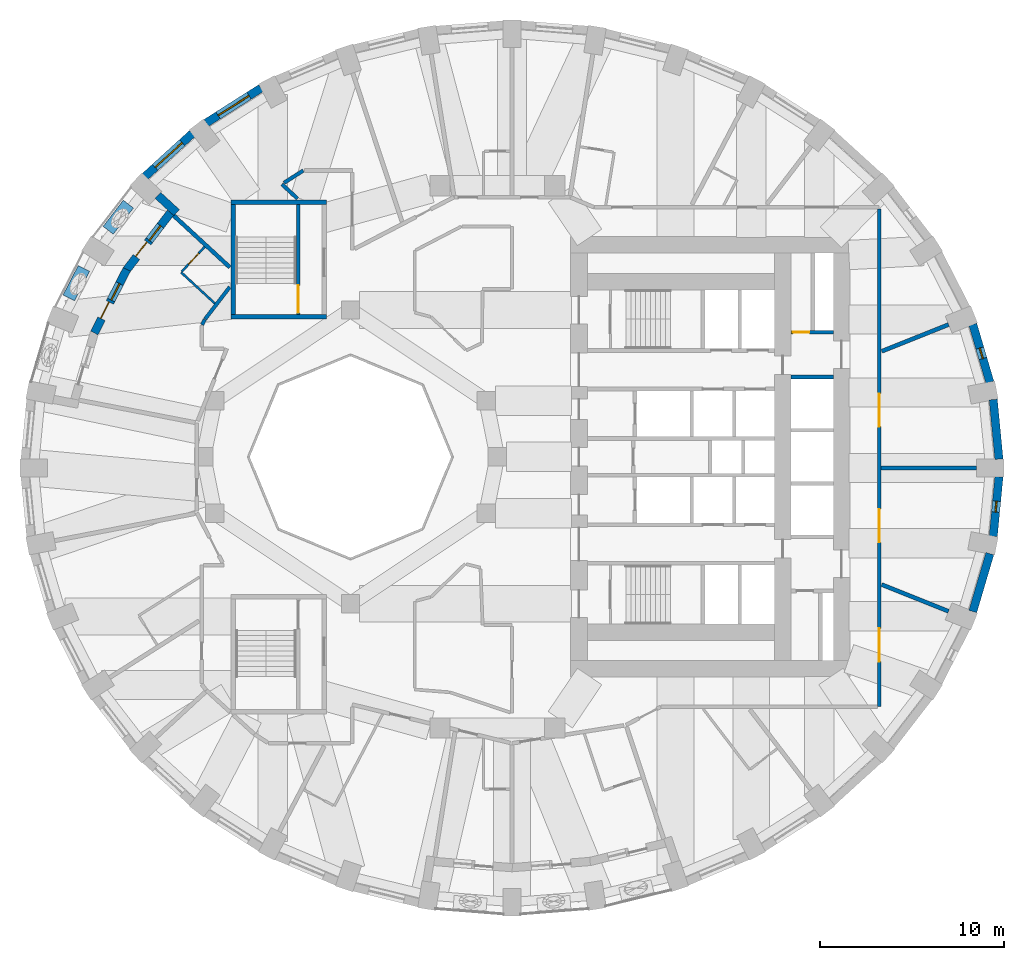
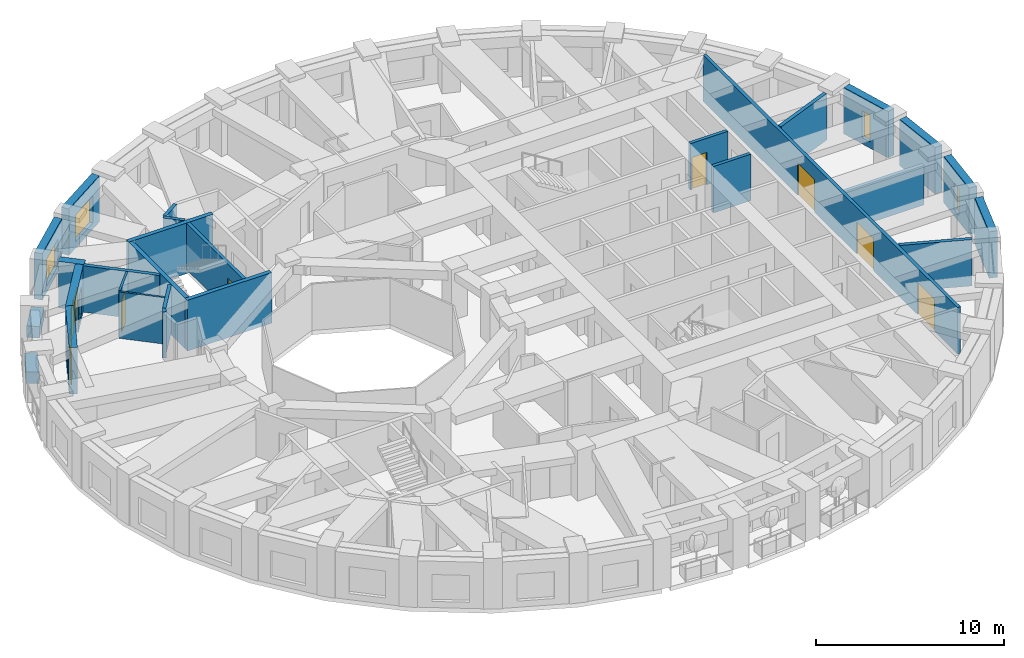
# One storey, part 7 of 13: 28 walls, 8 doors, 6 windows, 14 openings.
"""IFC4 building model written with IfcOpenShell, lengths in metres."""

import ifcopenshell
import ifcopenshell.guid

model = None  # the IFC model being written
_history = None  # IfcOwnerHistory: only IFC2X3 demands one
_inside = {}  # id of a spatial element -> (the spatial element, [elements in it])
_under = {}  # id of a project, library or spatial element -> (it, [spatial elements below it])
_declared = {}  # id of a project -> (the project, [libraries it declares])
_typed = {}  # id of a type object -> (the type object, [elements of that type])
_made_of = {}  # id of a material, layer set ... -> (it, [elements and type objects made of it])


def new_model(schema):
    """Start an empty IFC model of exactly this schema.

    Asked for "IFC4X3", IfcOpenShell would pick the latest addendum, in which some entities
    have other attributes; the version numbers below select the first issue.
    IFC2X3 requires an IfcOwnerHistory on every rooted entity: one is made here for all.
    """
    global model, _history
    if schema == "IFC4X3":
        model = ifcopenshell.file(schema_version=(4, 3, 0, 0))
    else:
        model = ifcopenshell.file(schema=schema)
    _inside.clear()
    _under.clear()
    _declared.clear()
    _typed.clear()
    _made_of.clear()
    _history = None
    if model.schema == "IFC2X3":
        org = make("IfcOrganization", Name="unknown")
        user = make(
            "IfcPersonAndOrganization",
            ThePerson=make("IfcPerson", FamilyName="unknown"),
            TheOrganization=org,
        )
        app = make(
            "IfcApplication",
            ApplicationDeveloper=org,
            Version="unknown",
            ApplicationFullName="unknown",
            ApplicationIdentifier="unknown",
        )
        _history = make(
            "IfcOwnerHistory",
            OwningUser=user,
            OwningApplication=app,
            ChangeAction="ADDED",
            CreationDate=0,
        )
    return model


def make(cls, **values):
    """One entity of the class cls with the attributes given. An attribute that is None is left unset."""
    return model.create_entity(
        cls, **{name: value for name, value in values.items() if value is not None}
    )


def rooted(cls, **values):
    """An entity with a GlobalId (a new one), such as an element, a storey or a relation."""
    return make(cls, GlobalId=ifcopenshell.guid.new(), OwnerHistory=_history, **values)


def si_unit(unit_type, name, prefix=None):
    """IfcSIUnit, for example si_unit("LENGTHUNIT", "METRE", prefix="MILLI")."""
    return make("IfcSIUnit", UnitType=unit_type, Prefix=prefix, Name=name)


def assignment(units):
    """IfcUnitAssignment: the units of a project."""
    return None if units is None else make("IfcUnitAssignment", Units=units)


def point(xyz):
    """IfcCartesianPoint."""
    return None if xyz is None else make("IfcCartesianPoint", Coordinates=xyz)


def direction(xyz):
    """IfcDirection."""
    return None if xyz is None else make("IfcDirection", DirectionRatios=xyz)


def frame(location, z_axis=None, x_axis=None):
    """IfcAxis2Placement3D, a coordinate frame: its origin and axes. An axis left out is left unset."""
    return make(
        "IfcAxis2Placement3D",
        Location=point(location),
        Axis=direction(z_axis),
        RefDirection=direction(x_axis),
    )


def frame_2d(location, x_axis=None):
    """IfcAxis2Placement2D, a coordinate frame in the plane: its origin and x axis."""
    return make(
        "IfcAxis2Placement2D", Location=point(location), RefDirection=direction(x_axis)
    )


def origin():
    """The frame at (0, 0, 0) with its axes left unset."""
    return frame((0.0, 0.0, 0.0))


def place(relative_to, where):
    """IfcLocalPlacement: puts the frame where relative to a parent placement (None: the world)."""
    return make(
        "IfcLocalPlacement", PlacementRelTo=relative_to, RelativePlacement=where
    )


def context(
    kind, dimensions, precision=None, world=None, true_north=None, identifier=None
):
    """IfcGeometricRepresentationContext, for example the 3D "Model" context."""
    return make(
        "IfcGeometricRepresentationContext",
        ContextIdentifier=identifier,
        ContextType=kind,
        CoordinateSpaceDimension=dimensions,
        Precision=precision,
        WorldCoordinateSystem=world,
        TrueNorth=true_north,
    )


def subcontext(parent, identifier, kind, view, scale=None):
    """IfcGeometricRepresentationSubContext, for example "Body" below "Model"."""
    return make(
        "IfcGeometricRepresentationSubContext",
        ContextIdentifier=identifier,
        ContextType=kind,
        ParentContext=parent,
        TargetScale=scale,
        TargetView=view,
    )


def project(units=None, contexts=None):
    """IfcProject with its units and contexts."""
    return rooted(
        "IfcProject",
        Name="project",
        RepresentationContexts=contexts,
        UnitsInContext=assignment(units),
    )


def spatial(cls, under=None, at=None, **own):
    """A site, building, storey or space (cls), placed at a placement, below another one or the project."""
    s = rooted(cls, ObjectPlacement=at, **own)
    if under is not None:
        _under.setdefault(under.id(), (under, []))[1].append(s)
    return s


def profile(cls, at=None, kind="AREA", **sizes):
    """A parametric profile (cls). Its sizes go by their IFC names, for example OverallWidth=200.0."""
    return make(cls, ProfileType=kind, Position=at, **sizes)


def rectangle(**sizes):
    """IfcRectangleProfileDef."""
    return profile("IfcRectangleProfileDef", **sizes)


def extrude(swept, where, along, depth):
    """IfcExtrudedAreaSolid: the profile swept, set in the frame where, extruded along a direction by depth."""
    return make(
        "IfcExtrudedAreaSolid",
        SweptArea=swept,
        Position=where,
        ExtrudedDirection=direction(along),
        Depth=depth,
    )


def shape(context_of_items, identifier, shape_type, items):
    """IfcShapeRepresentation: the items that make up one representation, for example the "Body"."""
    return make(
        "IfcShapeRepresentation",
        ContextOfItems=context_of_items,
        RepresentationIdentifier=identifier,
        RepresentationType=shape_type,
        Items=items,
    )


def material(Name=None, Category=None):
    """IfcMaterial."""
    return make("IfcMaterial", Name=Name, Category=Category)


def layer(
    of_material, thickness, ventilated=None, Name=None, Category=None, Priority=None
):
    """IfcMaterialLayer: one layer of a wall or slab, of a material (None: an air gap)."""
    return make(
        "IfcMaterialLayer",
        Material=of_material,
        LayerThickness=thickness,
        IsVentilated=ventilated,
        Name=Name,
        Category=Category,
        Priority=Priority,
    )


def layer_set(layers, Name=None):
    """IfcMaterialLayerSet."""
    return make("IfcMaterialLayerSet", MaterialLayers=layers, LayerSetName=Name)


def constituent(of_material, Name=None, Category=None, fraction=None):
    """IfcMaterialConstituent: one of the materials an element consists of."""
    return make(
        "IfcMaterialConstituent",
        Name=Name,
        Material=of_material,
        Fraction=fraction,
        Category=Category,
    )


def constituent_set(constituents=None, Name=None):
    """IfcMaterialConstituentSet."""
    return make(
        "IfcMaterialConstituentSet", Name=Name, MaterialConstituents=constituents
    )


def made_of(thing, what):
    """Note that an element or type object is made of a material, layer set ...; save() writes the relation."""
    if what is not None:
        _made_of.setdefault(what.id(), (what, []))[1].append(thing)
    return thing


def type_object(cls, material=None, **own):
    """A type object (cls), such as IfcWallType, which elements share."""
    return made_of(rooted(cls, **own), material)


def element(
    cls,
    number,
    at=None,
    inside=None,
    cuts=None,
    type_object=None,
    material=None,
    context=None,
    identifier="Body",
    shape_type=None,
    held_by="IfcProductDefinitionShape",
    body=None,
    shapes=None,
    **own,
):
    """One element of the class cls, such as IfcWall. Its Tag is "e" and its number.

    at: its placement. inside: the storey or other place that contains it. cuts: it is an
    opening in that element (IfcRelVoidsElement). A single representation is given by context,
    identifier, shape_type and body (its items); several are given by shapes. held_by: the class
    of the entity that holds the representations. save() writes the other relations.
    """
    e = rooted(cls, Tag="e%d" % number, ObjectPlacement=at, **own)
    if body is not None:
        shapes = [shape(context, identifier, shape_type, body)]
    if shapes is not None:
        e.Representation = make(held_by, Representations=shapes)
    if inside is not None:
        _inside.setdefault(inside.id(), (inside, []))[1].append(e)
    if cuts is not None:
        rooted(
            "IfcRelVoidsElement", RelatingBuildingElement=cuts, RelatedOpeningElement=e
        )
    if type_object is not None:
        _typed.setdefault(type_object.id(), (type_object, []))[1].append(e)
    return made_of(e, material)


def fill(opening, filler):
    """IfcRelFillsElement: the door or window that sits in an opening."""
    return rooted(
        "IfcRelFillsElement",
        RelatingOpeningElement=opening,
        RelatedBuildingElement=filler,
    )


def aggregate(whole, parts):
    """IfcRelAggregates: a whole, such as a stair, and the parts it consists of."""
    return rooted("IfcRelAggregates", RelatingObject=whole, RelatedObjects=parts)


def save(model, path):
    """Write the relations noted so far, then the file.

    IfcRelAggregates (storeys below a building ...), IfcRelContainedInSpatialStructure (elements
    in a storey), IfcRelDefinesByType, IfcRelAssociatesMaterial and IfcRelDeclares: one each for
    every whole, place, type object, material and project.
    """
    for whole, parts in _under.values():
        aggregate(whole, parts)
    for where, things in _inside.values():
        rooted(
            "IfcRelContainedInSpatialStructure",
            RelatedElements=things,
            RelatingStructure=where,
        )
    for kind, things in _typed.values():
        rooted("IfcRelDefinesByType", RelatedObjects=things, RelatingType=kind)
    for what, things in _made_of.values():
        rooted("IfcRelAssociatesMaterial", RelatedObjects=things, RelatingMaterial=what)
    for by, libraries in _declared.values():
        rooted("IfcRelDeclares", RelatingContext=by, RelatedDefinitions=libraries)
    model.write(path)


model = new_model("IFC4")

# Units and contexts
model_context = context("Model", 3, precision=1e-05, world=origin(), true_north=direction((0.0, 1.0)))
body_context = subcontext(model_context, "Body", "Model", "MODEL_VIEW")
ifc_project = project(units=[si_unit("LENGTHUNIT", "METRE"), si_unit("AREAUNIT", "SQUARE_METRE"), si_unit("VOLUMEUNIT", "CUBIC_METRE"), si_unit("PLANEANGLEUNIT", "RADIAN"), si_unit("MASSUNIT", "GRAM", prefix="KILO")], contexts=[model_context])

# Site, building, storey
site_placement = place(None, origin())
site = spatial("IfcSite", under=ifc_project, at=site_placement, CompositionType="ELEMENT")
building_placement = place(site_placement, origin())
building = spatial("IfcBuilding", under=site, at=building_placement, Name="Taillehof Tower", CompositionType="ELEMENT")
storey_placement = place(building_placement, frame((0.0, 0.0, 115.300048828125)))
storey = spatial("IfcBuildingStorey", under=building, at=storey_placement, Name="L32", CompositionType="ELEMENT", Elevation=115.300048828125)

# Wall
ifc_material_1 = material(Name="Brick masonry", Category="masonry")
ifc_layer_1 = layer(ifc_material_1, 0.449951171875)
ifc_layer_set_1 = layer_set([ifc_layer_1], Name="Brick infill wall 450")
wall_type_1 = type_object("IfcWallType", Name="Brick infill wall 450", PredefinedType="SOLIDWALL", material=ifc_layer_set_1)
wall_1_placement = place(storey_placement, frame((27.32763671875, -0.119873046875, 0.0), z_axis=(0.0, 0.0, 1.0), x_axis=(-0.09589355735, 0.995391594127, 0.0)))
element("IfcWall", 1, at=wall_1_placement, inside=storey, type_object=wall_type_1, Name="Brick wall L32 bay 1", PredefinedType="SOLIDWALL", context=body_context, shape_type="SweptSolid", body=[
    extrude(rectangle(XDim=3.261474609375, YDim=0.449951171875, at=frame_2d((1.630859375, 0.0))), origin(), (0.0, 0.0, 1.0), 3.02001953125),
])

# Wall, opening, window
wall_2_placement = place(storey_placement, frame((26.83203125, 4.069091796875, 0.0), z_axis=(0.0, 0.0, 1.0), x_axis=(-0.283002902729, 0.959119052593, 0.0)))
wall_2 = element("IfcWall", 2, at=wall_2_placement, inside=storey, type_object=wall_type_1, Name="Brick wall L32 bay 2", PredefinedType="SOLIDWALL", context=body_context, shape_type="SweptSolid", body=[
    extrude(rectangle(XDim=3.285888671875, YDim=0.449951171875, at=frame_2d((1.64306640625, 0.0))), origin(), (0.0, 0.0, 1.0), 3.02001953125),
])
opening_1_placement = place(wall_2_placement, frame((1.343017578125, 0.0, 0.39990234375)))
opening_1 = element("IfcOpeningElement", 3, at=opening_1_placement, cuts=wall_2, Name="Opening W6", PredefinedType="OPENING", context=body_context, shape_type="SweptSolid", body=[
    extrude(rectangle(XDim=0.60009765625, YDim=1.75, at=frame_2d((0.300048828125, 0.875))), frame((0.0, 0.23486328125, 0.0), z_axis=(0.0, -1.0, 0.0), x_axis=(1.0, 0.0, 0.0)), (0.0, 0.0, 1.0), 0.469970703125),
])
ifc_material_2 = material(Name="Aluminium window frame with clear double glazing", Category="aluminium")
window_type_1 = type_object("IfcWindowType", Name="Slot window 600x1750", PartitioningType="SINGLE_PANEL", PredefinedType="WINDOW", material=ifc_material_2)
window_1_placement = place(opening_1_placement, origin())
window_1 = element("IfcWindow", 4, at=window_1_placement, inside=storey, type_object=window_type_1, Name="W6", OverallHeight=1.75, OverallWidth=0.60009765625, PartitioningType="SINGLE_PANEL", PredefinedType="WINDOW", context=body_context, shape_type="SweptSolid", body=[
    extrude(rectangle(XDim=0.60009765625, YDim=1.75, at=frame_2d((0.300048828125, 0.875))), frame((0.0, 0.034912109375, 0.0), z_axis=(0.0, -1.0, 0.0), x_axis=(1.0, 0.0, 0.0)), (0.0, 0.0, 1.0), 0.06005859375),
])
fill(opening_1, window_1)

wall_3_placement = place(storey_placement, frame((-12.87548828125, 20.087158203125, 0.0), z_axis=(0.0, 0.0, 1.0), x_axis=(-0.843860651879, -0.536562391722, 0.0)))
wall_3 = element("IfcWall", 5, at=wall_3_placement, inside=storey, type_object=wall_type_1, Name="Brick wall L32 bay 13", PredefinedType="SOLIDWALL", context=body_context, shape_type="SweptSolid", body=[
    extrude(rectangle(XDim=3.5322265625, YDim=0.449951171875, at=frame_2d((1.76611328125, 0.0))), origin(), (0.0, 0.0, 1.0), 3.02001953125),
])
opening_2_placement = place(wall_3_placement, frame((0.76611328125, 0.0, 0.39990234375)))
opening_2 = element("IfcOpeningElement", 6, at=opening_2_placement, cuts=wall_3, Name="Opening W2", PredefinedType="OPENING", context=body_context, shape_type="SweptSolid", body=[
    extrude(rectangle(XDim=2.0, YDim=1.75, at=frame_2d((1.0, 0.875))), frame((0.0, 0.23486328125, 0.0), z_axis=(0.0, -1.0, 0.0), x_axis=(1.0, 0.0, 0.0)), (0.0, 0.0, 1.0), 0.469970703125),
])
ifc_material_3 = material(Name="Aluminium window frame with clear double glazing", Category="aluminium")
window_type_2 = type_object("IfcWindowType", Name="Deep-set window 2000x1750", PartitioningType="SINGLE_PANEL", PredefinedType="WINDOW", material=ifc_material_3)
window_2_placement = place(opening_2_placement, origin())
window_2 = element("IfcWindow", 7, at=window_2_placement, inside=storey, type_object=window_type_2, Name="W2", OverallHeight=1.75, OverallWidth=2.0, PartitioningType="SINGLE_PANEL", PredefinedType="WINDOW", context=body_context, shape_type="SweptSolid", body=[
    extrude(rectangle(XDim=2.0, YDim=1.75, at=frame_2d((1.0, 0.875))), frame((0.0, 0.034912109375, 0.0), z_axis=(0.0, -1.0, 0.0), x_axis=(1.0, 0.0, 0.0)), (0.0, 0.0, 1.0), 0.06005859375),
])
fill(opening_2, window_2)

wall_4_placement = place(storey_placement, frame((-16.61962890625, 17.609619140625, 0.0), z_axis=(0.0, 0.0, 1.0), x_axis=(-0.74032902847, -0.672244694739, 0.0)))
wall_4 = element("IfcWall", 8, at=wall_4_placement, inside=storey, type_object=wall_type_1, Name="Brick wall L32 bay 14", PredefinedType="SOLIDWALL", context=body_context, shape_type="SweptSolid", body=[
    extrude(rectangle(XDim=3.4638671875, YDim=0.449951171875, at=frame_2d((1.73193359375, 0.0))), origin(), (0.0, 0.0, 1.0), 3.02001953125),
])
opening_3_placement = place(wall_4_placement, frame((0.73193359375, 0.0, 0.39990234375)))
opening_3 = element("IfcOpeningElement", 9, at=opening_3_placement, cuts=wall_4, Name="Opening W2", PredefinedType="OPENING", context=body_context, shape_type="SweptSolid", body=[
    extrude(rectangle(XDim=2.0, YDim=1.75, at=frame_2d((1.0, 0.875))), frame((0.0, 0.23486328125, 0.0), z_axis=(0.0, -1.0, 0.0), x_axis=(1.0, 0.0, 0.0)), (0.0, 0.0, 1.0), 0.469970703125),
])
window_3_placement = place(opening_3_placement, origin())
window_3 = element("IfcWindow", 10, at=window_3_placement, inside=storey, type_object=window_type_2, Name="W2", OverallHeight=1.75, OverallWidth=2.0, PartitioningType="SINGLE_PANEL", PredefinedType="WINDOW", context=body_context, shape_type="SweptSolid", body=[
    extrude(rectangle(XDim=2.0, YDim=1.75, at=frame_2d((1.0, 0.875))), frame((0.0, 0.034912109375, 0.0), z_axis=(0.0, -1.0, 0.0), x_axis=(1.0, 0.0, 0.0)), (0.0, 0.0, 1.0), 0.06005859375),
])
fill(opening_3, window_3)

# Wall
wall_5_placement = place(storey_placement, frame((25.902099609375, -8.4208984375, 0.0), z_axis=(0.0, 0.0, 1.0), x_axis=(0.282982737009, 0.95912500257, 0.0)))
element("IfcWall", 11, at=wall_5_placement, inside=storey, type_object=wall_type_1, Name="Brick wall L32 bay 35", PredefinedType="SOLIDWALL", context=body_context, shape_type="SweptSolid", body=[
    extrude(rectangle(XDim=3.2861328125, YDim=0.449951171875, at=frame_2d((1.64306640625, 0.0))), origin(), (0.0, 0.0, 1.0), 3.02001953125),
])

# Wall, opening, window
wall_6_placement = place(storey_placement, frame((27.014892578125, -4.326416015625, 0.0), z_axis=(0.0, 0.0, 1.0), x_axis=(0.09589355735, 0.995391594127, 0.0)))
wall_6 = element("IfcWall", 12, at=wall_6_placement, inside=storey, type_object=wall_type_1, Name="Brick wall L32 bay 36", PredefinedType="SOLIDWALL", context=body_context, shape_type="SweptSolid", body=[
    extrude(rectangle(XDim=3.261474609375, YDim=0.449951171875, at=frame_2d((1.630859375, 0.0))), origin(), (0.0, 0.0, 1.0), 3.02001953125),
])
opening_4_placement = place(wall_6_placement, frame((1.33056640625, 0.0, 0.39990234375)))
opening_4 = element("IfcOpeningElement", 13, at=opening_4_placement, cuts=wall_6, Name="Opening W6", PredefinedType="OPENING", context=body_context, shape_type="SweptSolid", body=[
    extrude(rectangle(XDim=0.60009765625, YDim=1.75, at=frame_2d((0.300048828125, 0.875))), frame((0.0, 0.23486328125, 0.0), z_axis=(0.0, -1.0, 0.0), x_axis=(1.0, 0.0, 0.0)), (0.0, 0.0, 1.0), 0.469970703125),
])
window_4_placement = place(opening_4_placement, origin())
window_4 = element("IfcWindow", 14, at=window_4_placement, inside=storey, type_object=window_type_1, Name="W6", OverallHeight=1.75, OverallWidth=0.60009765625, PartitioningType="SINGLE_PANEL", PredefinedType="WINDOW", context=body_context, shape_type="SweptSolid", body=[
    extrude(rectangle(XDim=0.60009765625, YDim=1.75, at=frame_2d((0.300048828125, 0.875))), frame((0.0, 0.034912109375, 0.0), z_axis=(0.0, -1.0, 0.0), x_axis=(1.0, 0.0, 0.0)), (0.0, 0.0, 1.0), 0.06005859375),
])
fill(opening_4, window_4)

# Wall
wall_7_placement = place(storey_placement, frame((-18.48974609375, 14.2470703125, 0.0), z_axis=(0.0, 0.0, 1.0), x_axis=(0.735307968822, -0.67773312667, 0.0)))
element("IfcWall", 15, at=wall_7_placement, inside=storey, type_object=wall_type_1, Name="Brick reveal L32 pocket 4", PredefinedType="SOLIDWALL", context=body_context, shape_type="SweptSolid", body=[
    extrude(rectangle(XDim=1.390869140625, YDim=0.449951171875, at=frame_2d((0.6953125, 0.0))), origin(), (0.0, 0.0, 1.0), 3.02001953125),
])

# Wall, openings, door, window
wall_8_placement = place(storey_placement, frame((-17.799072265625, 13.304443359375, 0.0), z_axis=(0.0, 0.0, 1.0), x_axis=(-0.609698797728, -0.792633191362, 0.0)))
wall_8 = element("IfcWall", 16, at=wall_8_placement, inside=storey, type_object=wall_type_1, Name="Brick wall L32 pocket bay 15", PredefinedType="SOLIDWALL", context=body_context, shape_type="SweptSolid", body=[
    extrude(rectangle(XDim=3.945068359375, YDim=0.449951171875, at=frame_2d((1.97265625, 0.0))), origin(), (0.0, 0.0, 1.0), 3.02001953125),
])
opening_5_placement = place(wall_8_placement, frame((0.8974609375, 0.0, 0.39990234375)))
opening_5 = element("IfcOpeningElement", 17, at=opening_5_placement, cuts=wall_8, Name="Opening W5", PredefinedType="OPENING", context=body_context, shape_type="SweptSolid", body=[
    extrude(rectangle(XDim=1.0, YDim=1.75, at=frame_2d((0.5, 0.875))), frame((0.0, 0.23486328125, 0.0), z_axis=(0.0, -1.0, 0.0), x_axis=(1.0, 0.0, 0.0)), (0.0, 0.0, 1.0), 0.469970703125),
])
opening_6_placement = place(wall_8_placement, frame((2.04736328125, 0.0, 0.0)))
opening_6 = element("IfcOpeningElement", 18, at=opening_6_placement, cuts=wall_8, Name="Opening D3291", PredefinedType="OPENING", context=body_context, shape_type="SweptSolid", body=[
    extrude(rectangle(XDim=1.0, YDim=2.14990234375, at=frame_2d((0.5, 1.074951171875))), frame((0.0, 0.23486328125, 0.0), z_axis=(0.0, -1.0, 0.0), x_axis=(1.0, 0.0, 0.0)), (0.0, 0.0, 1.0), 0.469970703125),
])
ifc_material_4 = material(Name="Aluminium door frame with clear double glazing", Category="aluminium")
door_type_1 = type_object("IfcDoorType", Name="Balcony door 1000x2150", OperationType="SINGLE_SWING_RIGHT", PredefinedType="DOOR", material=ifc_material_4)
door_1_placement = place(opening_6_placement, frame((1.0, 0.0, 0.0), z_axis=(0.0, 0.0, 1.0), x_axis=(-1.0, 0.0, 0.0)))
door_1 = element("IfcDoor", 19, at=door_1_placement, inside=storey, type_object=door_type_1, Name="Balcony door L32 bay 15", OperationType="SINGLE_SWING_RIGHT", OverallHeight=2.14990234375, OverallWidth=1.0, PredefinedType="DOOR", context=body_context, shape_type="SweptSolid", body=[
    extrude(rectangle(XDim=1.0, YDim=2.14990234375, at=frame_2d((0.5, 1.074951171875))), frame((0.0, 0.0751953125, 0.0), z_axis=(0.0, -1.0, 0.0), x_axis=(1.0, 0.0, 0.0)), (0.0, 0.0, 1.0), 0.050048828125),
])
fill(opening_6, door_1)
ifc_material_5 = material(Name="Aluminium window frame with clear double glazing", Category="aluminium")
window_type_3 = type_object("IfcWindowType", Name="Fixed window 1000x1750", PartitioningType="SINGLE_PANEL", PredefinedType="WINDOW", material=ifc_material_5)
window_5_placement = place(opening_5_placement, origin())
window_5 = element("IfcWindow", 20, at=window_5_placement, inside=storey, type_object=window_type_3, Name="W5", OverallHeight=1.75, OverallWidth=1.0, PartitioningType="SINGLE_PANEL", PredefinedType="WINDOW", context=body_context, shape_type="SweptSolid", body=[
    extrude(rectangle(XDim=1.0, YDim=1.75, at=frame_2d((0.5, 0.875))), frame((0.0, 0.034912109375, 0.0), z_axis=(0.0, -1.0, 0.0), x_axis=(1.0, 0.0, 0.0)), (0.0, 0.0, 1.0), 0.06005859375),
])
fill(opening_5, window_5)

wall_9_placement = place(storey_placement, frame((-20.182373046875, 10.212158203125, 0.0), z_axis=(0.0, 0.0, 1.0), x_axis=(-0.455932890657, -0.890014156751, 0.0)))
wall_9 = element("IfcWall", 21, at=wall_9_placement, inside=storey, type_object=wall_type_1, Name="Brick wall L32 pocket bay 16", PredefinedType="SOLIDWALL", context=body_context, shape_type="SweptSolid", body=[
    extrude(rectangle(XDim=3.88818359375, YDim=0.449951171875, at=frame_2d((1.944091796875, 0.0))), origin(), (0.0, 0.0, 1.0), 3.02001953125),
])
opening_7_placement = place(wall_9_placement, frame((0.868896484375, 0.0, 0.39990234375)))
opening_7 = element("IfcOpeningElement", 22, at=opening_7_placement, cuts=wall_9, Name="Opening W5", PredefinedType="OPENING", context=body_context, shape_type="SweptSolid", body=[
    extrude(rectangle(XDim=1.0, YDim=1.75, at=frame_2d((0.5, 0.875))), frame((0.0, 0.23486328125, 0.0), z_axis=(0.0, -1.0, 0.0), x_axis=(1.0, 0.0, 0.0)), (0.0, 0.0, 1.0), 0.469970703125),
])
opening_8_placement = place(wall_9_placement, frame((2.01904296875, 0.0, 0.0)))
opening_8 = element("IfcOpeningElement", 23, at=opening_8_placement, cuts=wall_9, Name="Opening D3292", PredefinedType="OPENING", context=body_context, shape_type="SweptSolid", body=[
    extrude(rectangle(XDim=1.0, YDim=2.14990234375, at=frame_2d((0.5, 1.074951171875))), frame((0.0, 0.23486328125, 0.0), z_axis=(0.0, -1.0, 0.0), x_axis=(1.0, 0.0, 0.0)), (0.0, 0.0, 1.0), 0.469970703125),
])
door_2_placement = place(opening_8_placement, frame((1.0, 0.0, 0.0), z_axis=(0.0, 0.0, 1.0), x_axis=(-1.0, 0.0, 0.0)))
door_2 = element("IfcDoor", 24, at=door_2_placement, inside=storey, type_object=door_type_1, Name="Balcony door L32 bay 16", OperationType="SINGLE_SWING_LEFT", OverallHeight=2.14990234375, OverallWidth=1.0, PredefinedType="DOOR", context=body_context, shape_type="SweptSolid", body=[
    extrude(rectangle(XDim=1.0, YDim=2.14990234375, at=frame_2d((0.5, 1.074951171875))), frame((0.0, 0.0751953125, 0.0), z_axis=(0.0, -1.0, 0.0), x_axis=(1.0, 0.0, 0.0)), (0.0, 0.0, 1.0), 0.050048828125),
])
fill(opening_8, door_2)
window_6_placement = place(opening_7_placement, origin())
window_6 = element("IfcWindow", 25, at=window_6_placement, inside=storey, type_object=window_type_3, Name="W5", OverallHeight=1.75, OverallWidth=1.0, PartitioningType="SINGLE_PANEL", PredefinedType="WINDOW", context=body_context, shape_type="SweptSolid", body=[
    extrude(rectangle(XDim=1.0, YDim=1.75, at=frame_2d((0.5, 0.875))), frame((0.0, 0.034912109375, 0.0), z_axis=(0.0, -1.0, 0.0), x_axis=(1.0, 0.0, 0.0)), (0.0, 0.0, 1.0), 0.06005859375),
])
fill(opening_7, window_6)

# Wall, opening, door
ifc_material_6 = material(Name="Calcium silicate masonry", Category="masonry")
ifc_layer_2 = layer(ifc_material_6, 0.199951171875)
ifc_layer_set_2 = layer_set([ifc_layer_2], Name="Compartment wall calcium silicate 200")
wall_type_2 = type_object("IfcWallType", Name="Compartment wall calcium silicate 200", PredefinedType="PARTITIONING", material=ifc_layer_set_2)
wall_10_placement = place(storey_placement, frame((16.0, 6.800048828125, 0.0), z_axis=(0.0, 0.0, 1.0), x_axis=(1.0, 0.0, 0.0)))
wall_10 = element("IfcWall", 26, at=wall_10_placement, inside=storey, type_object=wall_type_2, Name="Compartment wall FW", PredefinedType="PARTITIONING", context=body_context, shape_type="SweptSolid", body=[
    extrude(rectangle(XDim=2.300048828125, YDim=0.199951171875, at=frame_2d((1.14990234375, 0.0))), origin(), (0.0, 0.0, 1.0), 3.02001953125),
])
opening_9_placement = place(wall_10_placement, frame((0.10009765625, 0.0, 0.0)))
opening_9 = element("IfcOpeningElement", 27, at=opening_9_placement, cuts=wall_10, Name="Opening D3216", PredefinedType="OPENING", context=body_context, shape_type="SweptSolid", body=[
    extrude(rectangle(XDim=0.89990234375, YDim=2.10009765625, at=frame_2d((0.449951171875, 1.050048828125))), frame((0.0, 0.10986328125, 0.0), z_axis=(0.0, -1.0, 0.0), x_axis=(1.0, 0.0, 0.0)), (0.0, 0.0, 1.0), 0.219970703125),
])
ifc_material_7 = material(Name="Steel-faced fire door", Category="steel")
door_type_2 = type_object("IfcDoorType", Name="Riser and service room door 900x2100", OperationType="SINGLE_SWING_LEFT", PredefinedType="DOOR", material=ifc_material_7)
door_3_placement = place(opening_9_placement, origin())
door_3 = element("IfcDoor", 28, at=door_3_placement, inside=storey, type_object=door_type_2, Name="Door Comms Room", OperationType="SINGLE_SWING_RIGHT", OverallHeight=2.10009765625, OverallWidth=0.89990234375, PredefinedType="DOOR", context=body_context, shape_type="SweptSolid", body=[
    extrude(rectangle(XDim=0.89990234375, YDim=2.10009765625, at=frame_2d((0.449951171875, 1.050048828125))), frame((0.0, 0.02490234375, 0.0), z_axis=(0.0, -1.0, 0.0), x_axis=(1.0, 0.0, 0.0)), (0.0, 0.0, 1.0), 0.050048828125),
])
fill(opening_9, door_3)

# Walls
ifc_material_8 = material(Name="Gypsum board on steel studs, two layers each side", Category="steel")
ifc_layer_3 = layer(ifc_material_8, 0.199951171875)
ifc_layer_set_3 = layer_set([ifc_layer_3], Name="Compartment wall corridor 200")
wall_type_3 = type_object("IfcWallType", Name="Compartment wall corridor 200", PredefinedType="PARTITIONING", material=ifc_layer_set_3)
wall_11_placement = place(storey_placement, frame((-16.08203125, 7.195556640625, 0.0), z_axis=(0.0, 0.0, 1.0), x_axis=(0.456789128428, 0.889575006478, 0.0)))
element("IfcWall", 29, at=wall_11_placement, inside=storey, type_object=wall_type_3, Name="Compartment wall", PredefinedType="PARTITIONING", context=body_context, shape_type="SweptSolid", body=[
    extrude(rectangle(XDim=0.335693359375, YDim=0.199951171875, at=frame_2d((0.16796875, 0.0))), origin(), (0.0, 0.0, 1.0), 3.02001953125),
])
wall_12_placement = place(storey_placement, frame((-15.91650390625, 7.510009765625, 0.0), z_axis=(0.0, 0.0, 1.0), x_axis=(0.609673267649, 0.792652828617, 0.0)))
element("IfcWall", 30, at=wall_12_placement, inside=storey, type_object=wall_type_3, Name="Compartment wall", PredefinedType="PARTITIONING", context=body_context, shape_type="SweptSolid", body=[
    extrude(rectangle(XDim=2.202880859375, YDim=0.199951171875, at=frame_2d((1.1015625, 0.0))), origin(), (0.0, 0.0, 1.0), 3.02001953125),
])
wall_13_placement = place(storey_placement, frame((-10.88330078125, 14.070068359375, 0.0), z_axis=(0.0, 0.0, 1.0), x_axis=(-0.735263405477, 0.677781472575, 0.0)))
element("IfcWall", 31, at=wall_13_placement, inside=storey, type_object=wall_type_3, Name="Compartment wall", PredefinedType="PARTITIONING", context=body_context, shape_type="SweptSolid", body=[
    extrude(rectangle(XDim=1.159423828125, YDim=0.199951171875, at=frame_2d((0.57958984375, 0.0))), origin(), (0.0, 0.0, 1.0), 3.02001953125),
])
wall_14_placement = place(storey_placement, frame((-11.617919921875, 14.93115234375, 0.0), z_axis=(0.0, 0.0, 1.0), x_axis=(0.84322497481, 0.537560826193, 0.0)))
element("IfcWall", 32, at=wall_14_placement, inside=storey, type_object=wall_type_3, Name="Compartment wall", PredefinedType="PARTITIONING", context=body_context, shape_type="SweptSolid", body=[
    extrude(rectangle(XDim=1.244384765625, YDim=0.199951171875, at=frame_2d((0.6220703125, 0.0))), origin(), (0.0, 0.0, 1.0), 3.02001953125),
])

# Wall, openings, doors
wall_15_placement = place(storey_placement, frame((20.800048828125, 13.5, 0.0), z_axis=(0.0, 0.0, 1.0), x_axis=(0.0, -1.0, 0.0)))
wall_15 = element("IfcWall", 33, at=wall_15_placement, inside=storey, type_object=wall_type_3, Name="Compartment wall", PredefinedType="PARTITIONING", context=body_context, shape_type="SweptSolid", body=[
    extrude(rectangle(XDim=27.10009765625, YDim=0.199951171875, at=frame_2d((13.550048828125, 0.0))), origin(), (0.0, 0.0, 1.0), 3.02001953125),
])
opening_10_placement = place(wall_15_placement, frame((22.84375, 0.0, 0.0)))
opening_10 = element("IfcOpeningElement", 34, at=opening_10_placement, cuts=wall_15, Name="Opening D3264", PredefinedType="OPENING", context=body_context, shape_type="SweptSolid", body=[
    extrude(rectangle(XDim=1.800048828125, YDim=2.10009765625, at=frame_2d((0.89990234375, 1.050048828125))), frame((0.0, 0.10986328125, 0.0), z_axis=(0.0, -1.0, 0.0), x_axis=(1.0, 0.0, 0.0)), (0.0, 0.0, 1.0), 0.219970703125),
])
opening_11_placement = place(wall_15_placement, frame((16.349609375, 0.0, 0.0)))
opening_11 = element("IfcOpeningElement", 35, at=opening_11_placement, cuts=wall_15, Name="Opening D3265", PredefinedType="OPENING", context=body_context, shape_type="SweptSolid", body=[
    extrude(rectangle(XDim=1.800048828125, YDim=2.10009765625, at=frame_2d((0.89990234375, 1.050048828125))), frame((0.0, 0.10986328125, 0.0), z_axis=(0.0, -1.0, 0.0), x_axis=(1.0, 0.0, 0.0)), (0.0, 0.0, 1.0), 0.219970703125),
])
opening_12_placement = place(wall_15_placement, frame((10.050537109375, 0.0, 0.0)))
opening_12 = element("IfcOpeningElement", 36, at=opening_12_placement, cuts=wall_15, Name="Opening D3266", PredefinedType="OPENING", context=body_context, shape_type="SweptSolid", body=[
    extrude(rectangle(XDim=1.800048828125, YDim=2.10009765625, at=frame_2d((0.89990234375, 1.050048828125))), frame((0.0, 0.10986328125, 0.0), z_axis=(0.0, -1.0, 0.0), x_axis=(1.0, 0.0, 0.0)), (0.0, 0.0, 1.0), 0.219970703125),
])
ifc_material_9 = material(Name="Timber door leaf in steel frame", Category="steel")
door_type_3 = type_object("IfcDoorType", Name="Lounge and meeting room double door EI 30 1800 x 2100", OperationType="SINGLE_SWING_LEFT", PredefinedType="DOOR", material=ifc_material_9)
door_4_placement = place(opening_10_placement, origin())
door_4 = element("IfcDoor", 37, at=door_4_placement, inside=storey, type_object=door_type_3, Name="D3264", OperationType="DOUBLE_DOOR_SINGLE_SWING", OverallHeight=2.10009765625, OverallWidth=1.800048828125, PredefinedType="DOOR", context=body_context, shape_type="SweptSolid", body=[
    extrude(rectangle(XDim=1.800048828125, YDim=2.10009765625, at=frame_2d((0.89990234375, 1.050048828125))), frame((0.0, 0.02490234375, 0.0), z_axis=(0.0, -1.0, 0.0), x_axis=(1.0, 0.0, 0.0)), (0.0, 0.0, 1.0), 0.050048828125),
])
fill(opening_10, door_4)
door_5_placement = place(opening_11_placement, origin())
door_5 = element("IfcDoor", 38, at=door_5_placement, inside=storey, type_object=door_type_3, Name="D3265", OperationType="DOUBLE_DOOR_SINGLE_SWING", OverallHeight=2.10009765625, OverallWidth=1.800048828125, PredefinedType="DOOR", context=body_context, shape_type="SweptSolid", body=[
    extrude(rectangle(XDim=1.800048828125, YDim=2.10009765625, at=frame_2d((0.89990234375, 1.050048828125))), frame((0.0, 0.02490234375, 0.0), z_axis=(0.0, -1.0, 0.0), x_axis=(1.0, 0.0, 0.0)), (0.0, 0.0, 1.0), 0.050048828125),
])
fill(opening_11, door_5)
door_6_placement = place(opening_12_placement, origin())
door_6 = element("IfcDoor", 39, at=door_6_placement, inside=storey, type_object=door_type_3, Name="D3266", OperationType="DOUBLE_DOOR_SINGLE_SWING", OverallHeight=2.10009765625, OverallWidth=1.800048828125, PredefinedType="DOOR", context=body_context, shape_type="SweptSolid", body=[
    extrude(rectangle(XDim=1.800048828125, YDim=2.10009765625, at=frame_2d((0.89990234375, 1.050048828125))), frame((0.0, 0.02490234375, 0.0), z_axis=(0.0, -1.0, 0.0), x_axis=(1.0, 0.0, 0.0)), (0.0, 0.0, 1.0), 0.050048828125),
])
fill(opening_12, door_6)

# Walls
ifc_material_10 = material(Name="Gypsum board on double steel studs with mineral wool", Category="steel")
ifc_layer_4 = layer(ifc_material_10, 0.219970703125)
ifc_layer_set_4 = layer_set([ifc_layer_4], Name="Compartment wall guest room 220")
wall_type_4 = type_object("IfcWallType", Name="Compartment wall guest room 220", PredefinedType="PARTITIONING", material=ifc_layer_set_4)
wall_16_placement = place(storey_placement, frame((26.10009765625, -0.60009765625, 0.0), z_axis=(0.0, 0.0, 1.0), x_axis=(-1.0, 0.0, 0.0)))
element("IfcWall", 40, at=wall_16_placement, inside=storey, type_object=wall_type_4, Name="Compartment wall", PredefinedType="PARTITIONING", context=body_context, shape_type="SweptSolid", body=[
    extrude(rectangle(XDim=5.199951171875, YDim=0.219970703125, at=frame_2d((2.60009765625, 0.0))), origin(), (0.0, 0.0, 1.0), 2.570068359375),
])
wall_17_placement = place(storey_placement, frame((24.58251953125, 7.21044921875, 0.0), z_axis=(0.0, 0.0, 1.0), x_axis=(-0.928528147853, -0.371262008083, 0.0)))
element("IfcWall", 41, at=wall_17_placement, inside=storey, type_object=wall_type_4, Name="Compartment wall", PredefinedType="PARTITIONING", context=body_context, shape_type="SweptSolid", body=[
    extrude(rectangle(XDim=3.92578125, YDim=0.219970703125, at=frame_2d((1.962890625, 0.0))), origin(), (0.0, 0.0, 1.0), 3.02001953125),
])
wall_18_placement = place(storey_placement, frame((-17.633056640625, 13.1513671875, 0.0), z_axis=(0.0, 0.0, 1.0), x_axis=(0.73535370522, -0.677683501511, 0.0)))
element("IfcWall", 42, at=wall_18_placement, inside=storey, type_object=wall_type_4, Name="Compartment wall", PredefinedType="PARTITIONING", context=body_context, shape_type="SweptSolid", body=[
    extrude(rectangle(XDim=4.165771484375, YDim=0.219970703125, at=frame_2d((2.0830078125, 0.0))), origin(), (0.0, 0.0, 1.0), 3.02001953125),
])
wall_19_placement = place(storey_placement, frame((24.58251953125, -8.410400390625, 0.0), z_axis=(0.0, 0.0, 1.0), x_axis=(-0.928528147853, 0.371262008083, 0.0)))
element("IfcWall", 43, at=wall_19_placement, inside=storey, type_object=wall_type_4, Name="Compartment wall", PredefinedType="PARTITIONING", context=body_context, shape_type="SweptSolid", body=[
    extrude(rectangle(XDim=3.92578125, YDim=0.219970703125, at=frame_2d((1.962890625, 0.0))), origin(), (0.0, 0.0, 1.0), 3.02001953125),
])
ifc_material_11 = material(Name="Gypsum board on steel studs, moisture resistant", Category="steel")
ifc_layer_5 = layer(ifc_material_11, 0.1201171875)
ifc_layer_set_5 = layer_set([ifc_layer_5], Name="En-suite wall 120")
wall_type_5 = type_object("IfcWallType", Name="En-suite wall 120", PredefinedType="PARTITIONING", material=ifc_layer_set_5)
wall_20_placement = place(storey_placement, frame((-15.387451171875, 8.36181640625, 0.0), z_axis=(0.0, 0.0, 1.0), x_axis=(-0.735313004993, 0.677727662626, 0.0)))
element("IfcWall", 44, at=wall_20_placement, inside=storey, type_object=wall_type_5, Name="En-suite wall", PredefinedType="PARTITIONING", context=body_context, shape_type="SweptSolid", body=[
    extrude(rectangle(XDim=2.4970703125, YDim=0.1201171875, at=frame_2d((1.24853515625, 0.0))), origin(), (0.0, 0.0, 1.0), 3.02001953125),
])

# Wall, opening, door
wall_21_placement = place(storey_placement, frame((-17.182861328125, 10.098388671875, 0.0), z_axis=(0.0, 0.0, 1.0), x_axis=(0.677631502542, 0.735401622763, 0.0)))
wall_21 = element("IfcWall", 45, at=wall_21_placement, inside=storey, type_object=wall_type_5, Name="En-suite wall", PredefinedType="PARTITIONING", context=body_context, shape_type="SweptSolid", body=[
    extrude(rectangle(XDim=1.829833984375, YDim=0.1201171875, at=frame_2d((0.9150390625, 0.0))), origin(), (0.0, 0.0, 1.0), 3.02001953125),
])
opening_13_placement = place(wall_21_placement, frame((0.539794921875, 0.0, 0.0)))
opening_13 = element("IfcOpeningElement", 46, at=opening_13_placement, cuts=wall_21, Name="Opening D3250", PredefinedType="OPENING", context=body_context, shape_type="SweptSolid", body=[
    extrude(rectangle(XDim=0.800048828125, YDim=2.10009765625, at=frame_2d((0.39990234375, 1.050048828125))), frame((0.0, 0.070068359375, 0.0), z_axis=(0.0, -1.0, 0.0), x_axis=(1.0, 0.0, 0.0)), (0.0, 0.0, 1.0), 0.14013671875),
])
ifc_material_12 = material(Name="Timber door leaf in steel frame", Category="steel")
door_type_4 = type_object("IfcDoorType", Name="En-suite door 800 x 2100", OperationType="SINGLE_SWING_LEFT", PredefinedType="DOOR", material=ifc_material_12)
door_7_placement = place(opening_13_placement, origin())
door_7 = element("IfcDoor", 47, at=door_7_placement, inside=storey, type_object=door_type_4, Name="D3250", OperationType="SINGLE_SWING_LEFT", OverallHeight=2.10009765625, OverallWidth=0.800048828125, PredefinedType="DOOR", context=body_context, shape_type="SweptSolid", body=[
    extrude(rectangle(XDim=0.800048828125, YDim=2.10009765625, at=frame_2d((0.39990234375, 1.050048828125))), frame((0.0, 0.02490234375, 0.0), z_axis=(0.0, -1.0, 0.0), x_axis=(1.0, 0.0, 0.0)), (0.0, 0.0, 1.0), 0.050048828125),
])
fill(opening_13, door_7)

# Walls
ifc_material_13 = material(Name="Concrete C30/37 precast", Category="concrete")
ifc_constituent_1 = constituent(ifc_material_13, Name="Structure", Category="concrete")
ifc_material_14 = material(Name="Insulated lining")
ifc_constituent_2 = constituent(ifc_material_14, Name="Lining")
ifc_constituent_set = constituent_set(constituents=[ifc_constituent_1, ifc_constituent_2], Name="Planter trough 700x750")
wall_type_6 = type_object("IfcWallType", Name="Planter trough 700x750", PredefinedType="USERDEFINED", material=ifc_constituent_set)
wall_22_placement = place(storey_placement, frame((-20.096435546875, 13.769775390625, 0.0), z_axis=(0.0, 0.0, 1.0), x_axis=(-0.610752434717, -0.791821610899, 0.0)))
element("IfcWall", 48, at=wall_22_placement, inside=storey, type_object=wall_type_6, Name="Planter L32 bay 15", ObjectType="PLANTER", PredefinedType="USERDEFINED", context=body_context, shape_type="SweptSolid", body=[
    extrude(rectangle(XDim=1.800048828125, YDim=0.699951171875, at=frame_2d((0.89990234375, 0.0))), origin(), (0.0, 0.0, 1.0), 0.75),
])
wall_23_placement = place(storey_placement, frame((-22.51953125, 10.2646484375, 0.0), z_axis=(0.0, 0.0, 1.0), x_axis=(-0.456845298981, -0.88954616114, 0.0)))
element("IfcWall", 49, at=wall_23_placement, inside=storey, type_object=wall_type_6, Name="Planter L32 bay 16", ObjectType="PLANTER", PredefinedType="USERDEFINED", context=body_context, shape_type="SweptSolid", body=[
    extrude(rectangle(XDim=1.7998046875, YDim=0.699951171875, at=frame_2d((0.89990234375, 0.0))), origin(), (0.0, 0.0, 1.0), 0.75),
])

# Wall, opening, door
ifc_material_15 = material(Name="Concrete C50/60", Category="concrete")
ifc_layer_6 = layer(ifc_material_15, 0.199951171875)
ifc_layer_set_6 = layer_set([ifc_layer_6], Name="Shaft wall C50/60 200")
wall_type_7 = type_object("IfcWallType", Name="Shaft wall C50/60 200", PredefinedType="SHEAR", material=ifc_layer_set_6)
wall_24_placement = place(storey_placement, frame((-10.85009765625, 7.75, 0.0), z_axis=(0.0, 0.0, 1.0), x_axis=(0.0, 1.0, 0.0)))
wall_24 = element("IfcWall", 50, at=wall_24_placement, inside=storey, type_object=wall_type_7, Name="Shaft wall SW", PredefinedType="SHEAR", context=body_context, shape_type="SweptSolid", body=[
    extrude(rectangle(XDim=6.0, YDim=0.199951171875, at=frame_2d((3.0, 0.0))), origin(), (0.0, 0.0, 1.0), 3.02001953125),
])
opening_14_placement = place(wall_24_placement, frame((0.10009765625, 0.0, 0.0)))
opening_14 = element("IfcOpeningElement", 51, at=opening_14_placement, cuts=wall_24, Name="Opening D3212", PredefinedType="OPENING", context=body_context, shape_type="SweptSolid", body=[
    extrude(rectangle(XDim=1.5, YDim=2.10009765625, at=frame_2d((0.75, 1.050048828125))), frame((0.0, 0.10986328125, 0.0), z_axis=(0.0, -1.0, 0.0), x_axis=(1.0, 0.0, 0.0)), (0.0, 0.0, 1.0), 0.219970703125),
])
ifc_material_16 = material(Name="Steel-faced fire door", Category="steel")
door_type_5 = type_object("IfcDoorType", Name="Stair door 1500x2100", OperationType="DOUBLE_DOOR_SINGLE_SWING", PredefinedType="DOOR", material=ifc_material_16)
door_8_placement = place(opening_14_placement, origin())
door_8 = element("IfcDoor", 52, at=door_8_placement, inside=storey, type_object=door_type_5, Name="Stair lobby door S3", OperationType="DOUBLE_DOOR_SINGLE_SWING", OverallHeight=2.10009765625, OverallWidth=1.5, PredefinedType="DOOR", context=body_context, shape_type="SweptSolid", body=[
    extrude(rectangle(XDim=1.5, YDim=2.10009765625, at=frame_2d((0.75, 1.050048828125))), frame((0.0, 0.02490234375, 0.0), z_axis=(0.0, -1.0, 0.0), x_axis=(1.0, 0.0, 0.0)), (0.0, 0.0, 1.0), 0.050048828125),
])
fill(opening_14, door_8)

# Walls
wall_25_placement = place(storey_placement, frame((16.0, 4.35009765625, 0.0), z_axis=(0.0, 0.0, 1.0), x_axis=(1.0, 0.0, 0.0)))
element("IfcWall", 53, at=wall_25_placement, inside=storey, type_object=wall_type_7, Name="Shaft wall SW", PredefinedType="SHEAR", context=body_context, shape_type="SweptSolid", body=[
    extrude(rectangle(XDim=2.300048828125, YDim=0.199951171875, at=frame_2d((1.14990234375, 0.0))), origin(), (0.0, 0.0, 1.0), 3.02001953125),
])
ifc_material_17 = material(Name="Concrete C50/60", Category="concrete")
ifc_layer_7 = layer(ifc_material_17, 0.25)
ifc_layer_set_7 = layer_set([ifc_layer_7], Name="Stair wall C50/60 250")
wall_type_8 = type_object("IfcWallType", Name="Stair wall C50/60 250", PredefinedType="SHEAR", material=ifc_layer_set_7)
wall_26_placement = place(storey_placement, frame((-14.375, 7.75, -0.280029296875), z_axis=(0.0, 0.0, 1.0), x_axis=(0.0, 1.0, 0.0)))
element("IfcWall", 54, at=wall_26_placement, inside=storey, type_object=wall_type_8, Name="Stair wall SC", PredefinedType="SHEAR", context=body_context, shape_type="SweptSolid", body=[
    extrude(rectangle(XDim=6.0, YDim=0.25, at=frame_2d((3.0, 0.0))), origin(), (0.0, 0.0, 1.0), 3.300048828125),
])
for number, where, z_axis, x_axis, name in (
    (55, (-14.5, 13.875, -0.280029296875), (0.0, 0.0, 1.0), (1.0, 0.0, 0.0), "Stair wall SC"),
    (56, (-14.5, 7.625, -0.280029296875), (0.0, 0.0, 1.0), (1.0, 0.0, 0.0), "Stair wall SC"),
):
    element("IfcWall", number, at=place(storey_placement, frame(where, z_axis=z_axis, x_axis=x_axis)), inside=storey, type_object=wall_type_8, Name=name, PredefinedType="SHEAR", context=body_context, shape_type="SweptSolid", body=[
        extrude(rectangle(XDim=5.199951171875, YDim=0.25, at=frame_2d((2.60009765625, 0.0))), origin(), (0.0, 0.0, 1.0), 3.300048828125),
    ])

save(model, "model.ifc")
